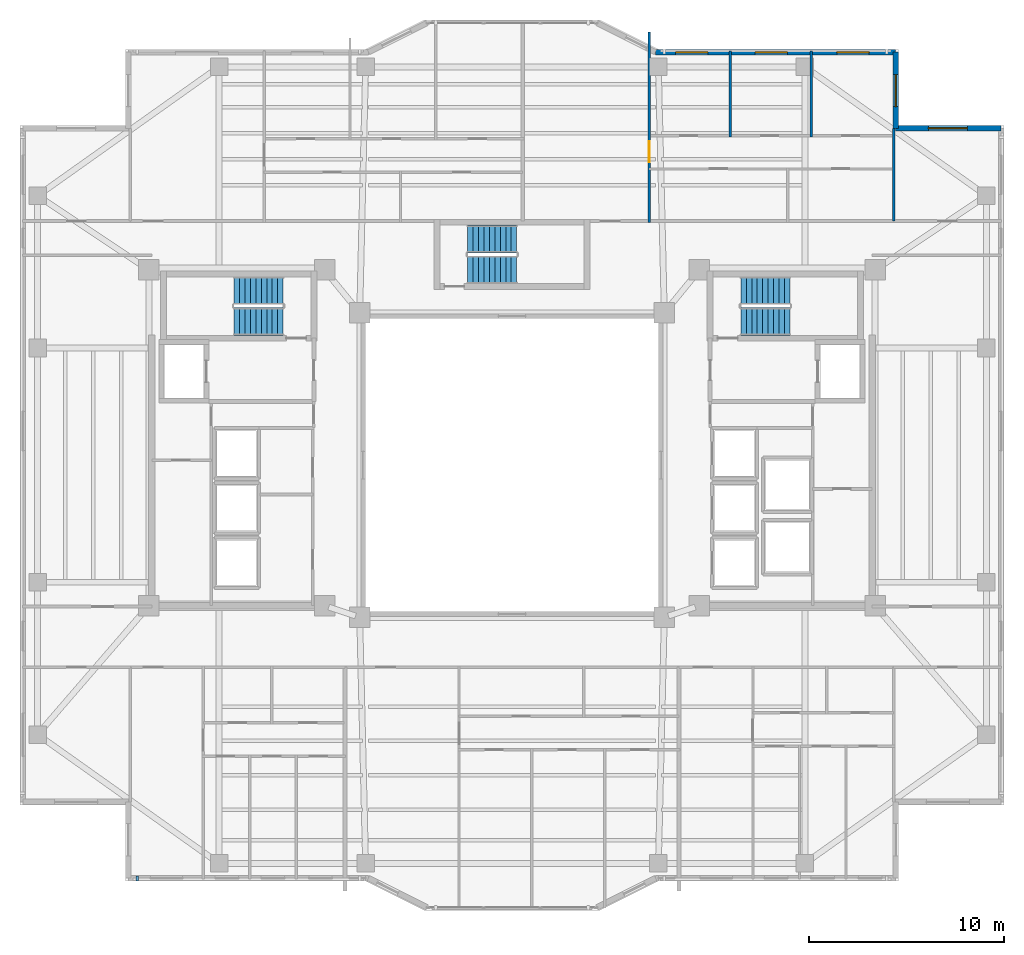
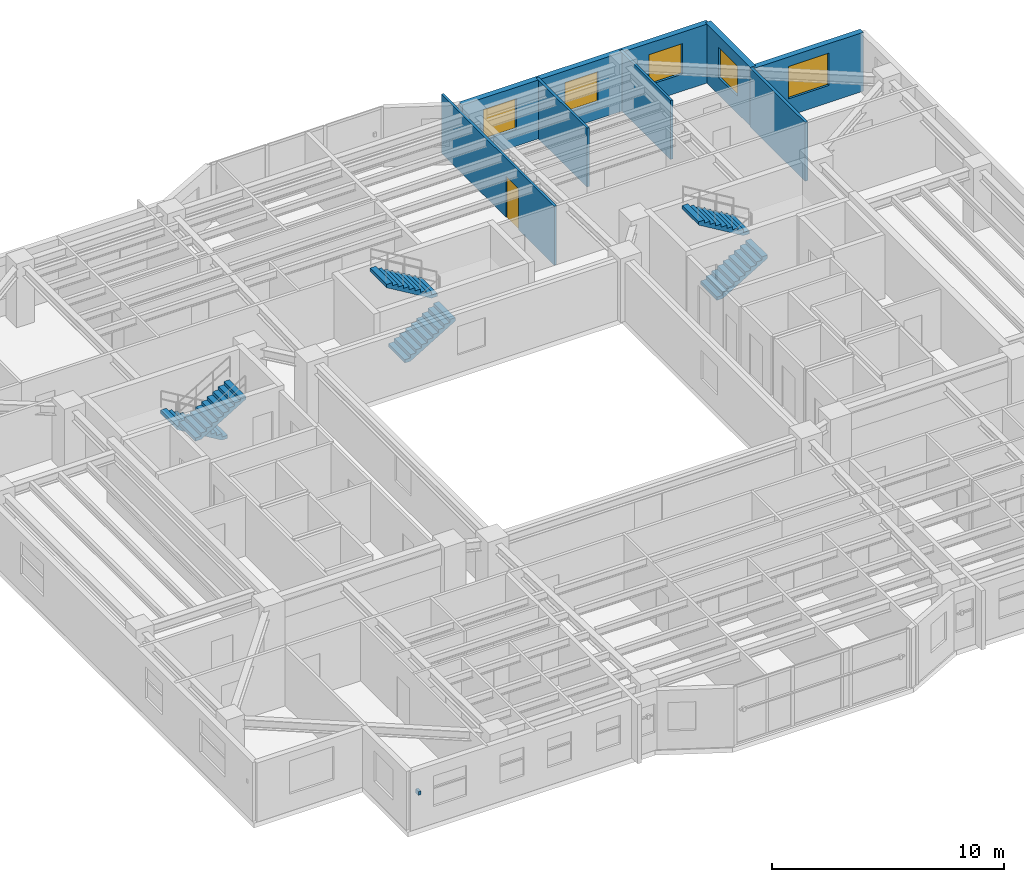
# One storey, part 11 of 16: 7 walls, 6 stair flights, 5 windows, 1 discrete accessory, 1 door, 6 openings, 3 elements without a shape of their own.
"""IFC4 building model written with IfcOpenShell, lengths in metres."""

from ifc_helpers import new_model, si_unit, direction, frame, frame_2d, origin, origin_2d, place, context, subcontext, project, spatial, polyline, rectangle, outline, extrude, material, layer, layer_set, type_object, element, fill, aggregate, save


model = new_model("IFC4")

# Units and contexts
model_context = context("Model", 3, precision=1e-05, world=origin(), true_north=direction((0.0, 1.0)))
body_context = subcontext(model_context, "Body", "Model", "MODEL_VIEW")
ifc_project = project(units=[si_unit("LENGTHUNIT", "METRE"), si_unit("AREAUNIT", "SQUARE_METRE"), si_unit("VOLUMEUNIT", "CUBIC_METRE"), si_unit("PLANEANGLEUNIT", "RADIAN"), si_unit("MASSUNIT", "GRAM", prefix="KILO")], contexts=[model_context])

# Site, building, storey
site_placement = place(None, origin())
site = spatial("IfcSite", under=ifc_project, at=site_placement, CompositionType="ELEMENT")
building_placement = place(site_placement, origin())
building = spatial("IfcBuilding", under=site, at=building_placement, Name="Tarnavaz Court Tower", CompositionType="ELEMENT")
storey_placement = place(building_placement, frame((0.0, 0.0, 146.0)))
storey = spatial("IfcBuildingStorey", under=building, at=storey_placement, Name="L39", CompositionType="ELEMENT", Elevation=146.0)

# Wall, openings, windows
ifc_material_1 = material(Name="Precast Concrete C40/50", Category="concrete")
ifc_layer_1 = layer(ifc_material_1, 0.280029296875)
ifc_layer_set_1 = layer_set([ifc_layer_1], Name="Precast Concrete C40/50")
wall_type_1 = type_object("IfcWallType", Name="WL-EXT-280", PredefinedType="SOLIDWALL", material=ifc_layer_set_1)
wall_1_placement = place(storey_placement, frame((7.35009765625, 21.14990234375, 0.0), z_axis=(0.0, 0.0, 1.0), x_axis=(1.0, 0.0, 0.0)))
wall_1 = element("IfcWall", 1, at=wall_1_placement, inside=storey, type_object=wall_type_1, Name="L39 Exterior Terracotta Facade Wall 09", PredefinedType="SOLIDWALL", context=body_context, shape_type="SweptSolid", body=[
    extrude(rectangle(XDim=12.2998046875, YDim=0.280029296875, at=frame_2d((6.14990234375, 0.0))), origin(), (0.0, 0.0, 1.0), 3.10009765625),
])
opening_1_placement = place(wall_1_placement, frame((1.03271484375, 0.0, 0.89990234375)))
opening_1 = element("IfcOpeningElement", 2, at=opening_1_placement, cuts=wall_1, Name="Opening W02", PredefinedType="OPENING", context=body_context, shape_type="SweptSolid", body=[
    extrude(rectangle(XDim=1.64990234375, YDim=1.60009765625, at=frame_2d((0.824951171875, 0.800048828125))), frame((0.0, 0.14990234375, 0.0), z_axis=(0.0, -1.0, 0.0), x_axis=(1.0, 0.0, 0.0)), (0.0, 0.0, 1.0), 0.300048828125),
])
opening_2_placement = place(wall_1_placement, frame((5.09912109375, 0.0, 0.89990234375)))
opening_2 = element("IfcOpeningElement", 3, at=opening_2_placement, cuts=wall_1, Name="Opening W02", PredefinedType="OPENING", context=body_context, shape_type="SweptSolid", body=[
    extrude(rectangle(XDim=1.64990234375, YDim=1.60009765625, at=frame_2d((0.824951171875, 0.800048828125))), frame((0.0, 0.14990234375, 0.0), z_axis=(0.0, -1.0, 0.0), x_axis=(1.0, 0.0, 0.0)), (0.0, 0.0, 1.0), 0.300048828125),
])
opening_3_placement = place(wall_1_placement, frame((9.291015625, 0.0, 0.89990234375)))
opening_3 = element("IfcOpeningElement", 4, at=opening_3_placement, cuts=wall_1, Name="Opening W02", PredefinedType="OPENING", context=body_context, shape_type="SweptSolid", body=[
    extrude(rectangle(XDim=1.64990234375, YDim=1.60009765625, at=frame_2d((0.824951171875, 0.800048828125))), frame((0.0, 0.14990234375, 0.0), z_axis=(0.0, -1.0, 0.0), x_axis=(1.0, 0.0, 0.0)), (0.0, 0.0, 1.0), 0.300048828125),
])
ifc_material_2 = material(Name="Double-Glazed Solar Low-E Glass", Category="glass")
window_type_1 = type_object("IfcWindowType", Name="WN-APT-1650", PartitioningType="DOUBLE_PANEL_VERTICAL", PredefinedType="WINDOW", material=ifc_material_2)
window_1_placement = place(opening_1_placement, origin())
window_1 = element("IfcWindow", 5, at=window_1_placement, inside=storey, type_object=window_type_1, Name="L39 Flat 02 Principal Bedroom Window", OverallHeight=1.60009765625, OverallWidth=1.64990234375, PartitioningType="SINGLE_PANEL", PredefinedType="WINDOW", context=body_context, shape_type="SweptSolid", body=[
    extrude(rectangle(XDim=1.64990234375, YDim=1.60009765625, at=frame_2d((0.824951171875, 0.800048828125))), frame((0.0, 0.030029296875, 0.0), z_axis=(0.0, -1.0, 0.0), x_axis=(1.0, 0.0, 0.0)), (0.0, 0.0, 1.0), 0.06005859375),
])
fill(opening_1, window_1)
window_2_placement = place(opening_2_placement, origin())
window_2 = element("IfcWindow", 6, at=window_2_placement, inside=storey, type_object=window_type_1, Name="L39 Flat 02 Bedroom 2 Window", OverallHeight=1.60009765625, OverallWidth=1.64990234375, PartitioningType="SINGLE_PANEL", PredefinedType="WINDOW", context=body_context, shape_type="SweptSolid", body=[
    extrude(rectangle(XDim=1.64990234375, YDim=1.60009765625, at=frame_2d((0.824951171875, 0.800048828125))), frame((0.0, 0.030029296875, 0.0), z_axis=(0.0, -1.0, 0.0), x_axis=(1.0, 0.0, 0.0)), (0.0, 0.0, 1.0), 0.06005859375),
])
fill(opening_2, window_2)
window_3_placement = place(opening_3_placement, origin())
window_3 = element("IfcWindow", 7, at=window_3_placement, inside=storey, type_object=window_type_1, Name="L39 Flat 02 Bedroom 3 Window", OverallHeight=1.60009765625, OverallWidth=1.64990234375, PartitioningType="SINGLE_PANEL", PredefinedType="WINDOW", context=body_context, shape_type="SweptSolid", body=[
    extrude(rectangle(XDim=1.64990234375, YDim=1.60009765625, at=frame_2d((0.824951171875, 0.800048828125))), frame((0.0, 0.030029296875, 0.0), z_axis=(0.0, -1.0, 0.0), x_axis=(1.0, 0.0, 0.0)), (0.0, 0.0, 1.0), 0.06005859375),
])
fill(opening_3, window_3)

# Wall, opening, window
wall_2_placement = place(storey_placement, frame((19.64990234375, 21.14990234375, 0.0), z_axis=(0.0, 0.0, 1.0), x_axis=(0.0, -1.0, 0.0)))
wall_2 = element("IfcWall", 8, at=wall_2_placement, inside=storey, type_object=wall_type_1, Name="L39 Exterior Terracotta Facade Wall 10", PredefinedType="SOLIDWALL", context=body_context, shape_type="SweptSolid", body=[
    extrude(rectangle(XDim=3.89990234375, YDim=0.280029296875, at=frame_2d((1.949951171875, 0.0))), origin(), (0.0, 0.0, 1.0), 3.10009765625),
])
opening_4_placement = place(wall_2_placement, frame((1.142822265625, 0.0, 0.89990234375)))
opening_4 = element("IfcOpeningElement", 9, at=opening_4_placement, cuts=wall_2, Name="Opening W02", PredefinedType="OPENING", context=body_context, shape_type="SweptSolid", body=[
    extrude(rectangle(XDim=1.64990234375, YDim=1.60009765625, at=frame_2d((0.824951171875, 0.800048828125))), frame((0.0, 0.14990234375, 0.0), z_axis=(0.0, -1.0, 0.0), x_axis=(1.0, 0.0, 0.0)), (0.0, 0.0, 1.0), 0.300048828125),
])
window_4_placement = place(opening_4_placement, origin())
window_4 = element("IfcWindow", 10, at=window_4_placement, inside=storey, type_object=window_type_1, Name="L39 Flat 02 Bedroom 3 Window", OverallHeight=1.60009765625, OverallWidth=1.64990234375, PartitioningType="SINGLE_PANEL", PredefinedType="WINDOW", context=body_context, shape_type="SweptSolid", body=[
    extrude(rectangle(XDim=1.64990234375, YDim=1.60009765625, at=frame_2d((0.824951171875, 0.800048828125))), frame((0.0, 0.030029296875, 0.0), z_axis=(0.0, -1.0, 0.0), x_axis=(1.0, 0.0, 0.0)), (0.0, 0.0, 1.0), 0.06005859375),
])
fill(opening_4, window_4)

wall_3_placement = place(storey_placement, frame((19.64990234375, 17.25, 0.0), z_axis=(0.0, 0.0, 1.0), x_axis=(1.0, 0.0, 0.0)))
wall_3 = element("IfcWall", 11, at=wall_3_placement, inside=storey, type_object=wall_type_1, Name="L39 Exterior Terracotta Facade Wall 11", PredefinedType="SOLIDWALL", context=body_context, shape_type="SweptSolid", body=[
    extrude(rectangle(XDim=5.400146484375, YDim=0.280029296875, at=frame_2d((2.7001953125, 0.0))), origin(), (0.0, 0.0, 1.0), 3.10009765625),
])
opening_5_placement = place(wall_3_placement, frame((1.675048828125, 0.0, 0.89990234375)))
opening_5 = element("IfcOpeningElement", 12, at=opening_5_placement, cuts=wall_3, Name="Opening W08", PredefinedType="OPENING", context=body_context, shape_type="SweptSolid", body=[
    extrude(rectangle(XDim=2.0, YDim=1.699951171875, at=frame_2d((1.0, 0.85009765625))), frame((0.0, 0.14990234375, 0.0), z_axis=(0.0, -1.0, 0.0), x_axis=(1.0, 0.0, 0.0)), (0.0, 0.0, 1.0), 0.300048828125),
])
window_type_2 = type_object("IfcWindowType", Name="WN-APT-2000", PartitioningType="DOUBLE_PANEL_VERTICAL", PredefinedType="WINDOW", material=ifc_material_2)
window_5_placement = place(opening_5_placement, origin())
window_5 = element("IfcWindow", 13, at=window_5_placement, inside=storey, type_object=window_type_2, Name="L39 North-East Corner Sunroom Study Window", OverallHeight=1.699951171875, OverallWidth=2.0, PartitioningType="SINGLE_PANEL", PredefinedType="WINDOW", context=body_context, shape_type="SweptSolid", body=[
    extrude(rectangle(XDim=2.0, YDim=1.699951171875, at=frame_2d((1.0, 0.85009765625))), frame((0.0, 0.030029296875, 0.0), z_axis=(0.0, -1.0, 0.0), x_axis=(1.0, 0.0, 0.0)), (0.0, 0.0, 1.0), 0.06005859375),
])
fill(opening_5, window_5)

# Wall, opening, door
ifc_material_3 = material(Name="Moisture-Resistant Gypsum Board Partition", Category="masonry")
ifc_layer_2 = layer(ifc_material_3, 0.1201171875)
ifc_layer_set_2 = layer_set([ifc_layer_2], Name="Moisture-Resistant Gypsum Board Partition")
wall_type_2 = type_object("IfcWallType", Name="WL-PART-120", PredefinedType="PARTITIONING", material=ifc_layer_set_2)
wall_4_placement = place(storey_placement, frame((7.029052734375, 12.43994140625, 0.0), z_axis=(0.0, 0.0, 1.0), x_axis=(0.0, 1.0, 0.0)))
wall_4 = element("IfcWall", 14, at=wall_4_placement, inside=storey, type_object=wall_type_2, Name="L39 Interior Partition 083", PredefinedType="PARTITIONING", context=body_context, shape_type="SweptSolid", body=[
    extrude(rectangle(XDim=9.739990234375, YDim=0.1201171875, at=frame_2d((4.8701171875, 0.0))), origin(), (0.0, 0.0, 1.0), 3.10009765625),
])
opening_6_placement = place(wall_4_placement, frame((3.074951171875, 0.0, 0.0)))
opening_6 = element("IfcOpeningElement", 15, at=opening_6_placement, cuts=wall_4, Name="Opening D12", PredefinedType="OPENING", context=body_context, shape_type="SweptSolid", body=[
    extrude(rectangle(XDim=1.080078125, YDim=2.14990234375, at=frame_2d((0.5400390625, 1.074951171875))), frame((0.0, 0.070068359375, 0.0), z_axis=(0.0, -1.0, 0.0), x_axis=(1.0, 0.0, 0.0)), (0.0, 0.0, 1.0), 0.14013671875),
])
ifc_material_4 = material(Name="Engineered Oak Timber", Category="wood")
door_type = type_object("IfcDoorType", Name="DR-INT-1100", OperationType="NOTDEFINED", PredefinedType="DOOR", material=ifc_material_4)
door_placement = place(opening_6_placement, origin())
door = element("IfcDoor", 16, at=door_placement, inside=storey, type_object=door_type, Name="L39 Flat 02 Foyer Door", OperationType="SINGLE_SWING_LEFT", OverallHeight=2.14990234375, OverallWidth=1.080078125, PredefinedType="DOOR", context=body_context, shape_type="SweptSolid", body=[
    extrude(rectangle(XDim=1.080078125, YDim=2.14990234375, at=frame_2d((0.5400390625, 1.074951171875))), frame((0.0, 0.02490234375, 0.0), z_axis=(0.0, -1.0, 0.0), x_axis=(1.0, 0.0, 0.0)), (0.0, 0.0, 1.0), 0.050048828125),
])
fill(opening_6, door)

# Walls
for number, where, z_axis, x_axis, name in (
    (17, (11.18310546875, 16.820068359375, 0.0), (0.0, 0.0, 1.0), (0.0, 1.0, 0.0), "L39 Interior Partition 088"),
    (18, (15.3359375, 16.820068359375, 0.0), (0.0, 0.0, 1.0), (0.0, 1.0, 0.0), "L39 Interior Partition 089"),
):
    element("IfcWall", number, at=place(storey_placement, frame(where, z_axis=z_axis, x_axis=x_axis)), inside=storey, type_object=wall_type_2, Name=name, PredefinedType="PARTITIONING", context=body_context, shape_type="SweptSolid", body=[
        extrude(rectangle(XDim=4.3798828125, YDim=0.1201171875, at=frame_2d((2.18994140625, 0.0))), origin(), (0.0, 0.0, 1.0), 3.10009765625),
    ])
ifc_material_5 = material(Name="Gypsum Plasterboard Acoustic Partition", Category="masonry")
ifc_layer_3 = layer(ifc_material_5, 0.139892578125)
ifc_layer_set_3 = layer_set([ifc_layer_3], Name="Gypsum Plasterboard Acoustic Partition")
wall_type_3 = type_object("IfcWallType", Name="WL-PART-150", PredefinedType="PARTITIONING", material=ifc_layer_set_3)
wall_5_placement = place(storey_placement, frame((19.550048828125, 12.5, 0.0), z_axis=(0.0, 0.0, 1.0), x_axis=(0.0, 1.0, 0.0)))
element("IfcWall", 19, at=wall_5_placement, inside=storey, type_object=wall_type_3, Name="L39 Interior Partition 121", PredefinedType="PARTITIONING", context=body_context, shape_type="SweptSolid", body=[
    extrude(rectangle(XDim=4.75, YDim=0.139892578125, at=frame_2d((2.375, 0.0))), origin(), (0.0, 0.0, 1.0), 3.10009765625),
])

# Stair, stair flights
ifc_material_6 = material(Name="Concrete C40/50", Category="concrete")
stair_type = type_object("IfcStairType", Name="ST-TWR-20R", PredefinedType="HALF_TURN_STAIR", material=ifc_material_6)
stair_1_placement = place(storey_placement, origin())
stair_1 = element("IfcStair", 20, at=stair_1_placement, inside=storey, type_object=stair_type, Name="L39 West Core Pressurized Exit Stair ST-W1", PredefinedType="HALF_TURN_STAIR")
stair_flight_type = type_object("IfcStairFlightType", Name="SFL-RC-20R", PredefinedType="STRAIGHT", material=ifc_material_6)
stair_flight_1_placement = place(storey_placement, frame((-11.719970703125, 8.929931640625, 0.0), z_axis=(0.0, 0.0, 1.0), x_axis=(-1.0, 0.0, 0.0)))
stair_flight_1 = element("IfcStairFlight", 21, at=stair_flight_1_placement, type_object=stair_flight_type, Name="ST-W1 flight 1", NumberOfRisers=10, NumberOfTreads=9, PredefinedType="STRAIGHT", RiserHeight=0.1675, TreadLength=0.28, context=body_context, shape_type="SweptSolid", body=[
    extrude(outline(polyline([(0.0, 0.0), (0.0, 0.16748046875), (0.280029296875, 0.16748046875), (0.280029296875, 0.3349609375), (0.56005859375, 0.3349609375), (0.56005859375, 0.50244140625), (0.840087890625, 0.50244140625), (0.840087890625, 0.669921875), (1.1201171875, 0.669921875), (1.1201171875, 0.83740234375), (1.39990234375, 0.83740234375), (1.39990234375, 1.0048828125), (1.679931640625, 1.0048828125), (1.679931640625, 1.172607421875), (1.9599609375, 1.172607421875), (1.9599609375, 1.340087890625), (2.239990234375, 1.340087890625), (2.239990234375, 1.507568359375), (2.52001953125, 1.507568359375), (2.52001953125, 1.675048828125), (2.52001953125, 1.332763671875), (0.2919921875, 0.0), (0.0, 0.0)])), frame((0.0, 0.7099609375, 0.0), z_axis=(0.0, -1.0, 0.0), x_axis=(1.0, 0.0, 0.0)), (0.0, 0.0, 1.0), 1.419921875),
])
stair_flight_2_placement = place(storey_placement, frame((-14.239990234375, 7.360107421875, 1.675048828125), z_axis=(0.0, 0.0, 1.0), x_axis=(1.0, 0.0, 0.0)))
stair_flight_2 = element("IfcStairFlight", 22, at=stair_flight_2_placement, type_object=stair_flight_type, Name="ST-W1 flight 2", NumberOfRisers=10, NumberOfTreads=9, PredefinedType="STRAIGHT", RiserHeight=0.1675, TreadLength=0.28, context=body_context, shape_type="SweptSolid", body=[
    extrude(outline(polyline([(0.0, 0.0), (0.0, 0.16748046875), (0.280029296875, 0.16748046875), (0.280029296875, 0.3349609375), (0.56005859375, 0.3349609375), (0.56005859375, 0.50244140625), (0.840087890625, 0.50244140625), (0.840087890625, 0.669921875), (1.1201171875, 0.669921875), (1.1201171875, 0.83740234375), (1.39990234375, 0.83740234375), (1.39990234375, 1.0048828125), (1.679931640625, 1.0048828125), (1.679931640625, 1.172607421875), (1.9599609375, 1.172607421875), (1.9599609375, 1.340087890625), (2.239990234375, 1.340087890625), (2.239990234375, 1.507568359375), (2.52001953125, 1.507568359375), (2.52001953125, 1.675048828125), (2.52001953125, 1.332763671875), (0.2919921875, 0.0), (0.0, 0.0)])), frame((0.0, 0.7099609375, 0.0), z_axis=(0.0, -1.0, 0.0), x_axis=(1.0, 0.0, 0.0)), (0.0, 0.0, 1.0), 1.419921875),
])
aggregate(stair_1, [stair_flight_1, stair_flight_2])

stair_2_placement = place(storey_placement, origin())
stair_2 = element("IfcStair", 23, at=stair_2_placement, inside=storey, type_object=stair_type, Name="L39 East Core Pressurized Exit Stair ST-E1", PredefinedType="HALF_TURN_STAIR")
stair_flight_3_placement = place(storey_placement, frame((11.719970703125, 7.360107421875, 0.0), z_axis=(0.0, 0.0, 1.0), x_axis=(1.0, 0.0, 0.0)))
stair_flight_3 = element("IfcStairFlight", 24, at=stair_flight_3_placement, type_object=stair_flight_type, Name="ST-E1 flight 1", NumberOfRisers=10, NumberOfTreads=9, PredefinedType="STRAIGHT", RiserHeight=0.1675, TreadLength=0.28, context=body_context, shape_type="SweptSolid", body=[
    extrude(outline(polyline([(0.0, 0.0), (0.0, 0.16748046875), (0.280029296875, 0.16748046875), (0.280029296875, 0.3349609375), (0.56005859375, 0.3349609375), (0.56005859375, 0.50244140625), (0.840087890625, 0.50244140625), (0.840087890625, 0.669921875), (1.1201171875, 0.669921875), (1.1201171875, 0.83740234375), (1.39990234375, 0.83740234375), (1.39990234375, 1.0048828125), (1.679931640625, 1.0048828125), (1.679931640625, 1.172607421875), (1.9599609375, 1.172607421875), (1.9599609375, 1.340087890625), (2.239990234375, 1.340087890625), (2.239990234375, 1.507568359375), (2.52001953125, 1.507568359375), (2.52001953125, 1.675048828125), (2.52001953125, 1.332763671875), (0.2919921875, 0.0), (0.0, 0.0)])), frame((0.0, 0.7099609375, 0.0), z_axis=(0.0, -1.0, 0.0), x_axis=(1.0, 0.0, 0.0)), (0.0, 0.0, 1.0), 1.419921875),
])
stair_flight_4_placement = place(storey_placement, frame((14.239990234375, 8.929931640625, 1.675048828125), z_axis=(0.0, 0.0, 1.0), x_axis=(-1.0, 0.0, 0.0)))
stair_flight_4 = element("IfcStairFlight", 25, at=stair_flight_4_placement, type_object=stair_flight_type, Name="ST-E1 flight 2", NumberOfRisers=10, NumberOfTreads=9, PredefinedType="STRAIGHT", RiserHeight=0.1675, TreadLength=0.28, context=body_context, shape_type="SweptSolid", body=[
    extrude(outline(polyline([(0.0, 0.0), (0.0, 0.16748046875), (0.280029296875, 0.16748046875), (0.280029296875, 0.3349609375), (0.56005859375, 0.3349609375), (0.56005859375, 0.50244140625), (0.840087890625, 0.50244140625), (0.840087890625, 0.669921875), (1.1201171875, 0.669921875), (1.1201171875, 0.83740234375), (1.39990234375, 0.83740234375), (1.39990234375, 1.0048828125), (1.679931640625, 1.0048828125), (1.679931640625, 1.172607421875), (1.9599609375, 1.172607421875), (1.9599609375, 1.340087890625), (2.239990234375, 1.340087890625), (2.239990234375, 1.507568359375), (2.52001953125, 1.507568359375), (2.52001953125, 1.675048828125), (2.52001953125, 1.332763671875), (0.2919921875, 0.0), (0.0, 0.0)])), frame((0.0, 0.7099609375, 0.0), z_axis=(0.0, -1.0, 0.0), x_axis=(1.0, 0.0, 0.0)), (0.0, 0.0, 1.0), 1.419921875),
])
aggregate(stair_2, [stair_flight_3, stair_flight_4])

stair_3_placement = place(storey_placement, origin())
stair_3 = element("IfcStair", 26, at=stair_3_placement, inside=storey, type_object=stair_type, Name="L39 North Ring Pressurized Exit Stair ST-N1", PredefinedType="HALF_TURN_STAIR")
stair_flight_5_placement = place(storey_placement, frame((-2.280029296875, 10.010009765625, 0.0), z_axis=(0.0, 0.0, 1.0), x_axis=(1.0, 0.0, 0.0)))
stair_flight_5 = element("IfcStairFlight", 27, at=stair_flight_5_placement, type_object=stair_flight_type, Name="ST-N1 flight 1", NumberOfRisers=10, NumberOfTreads=9, PredefinedType="STRAIGHT", RiserHeight=0.1675, TreadLength=0.28, context=body_context, shape_type="SweptSolid", body=[
    extrude(outline(polyline([(0.0, 0.0), (0.0, 0.16748046875), (0.280029296875, 0.16748046875), (0.280029296875, 0.3349609375), (0.56005859375, 0.3349609375), (0.56005859375, 0.50244140625), (0.840087890625, 0.50244140625), (0.840087890625, 0.669921875), (1.1201171875, 0.669921875), (1.1201171875, 0.83740234375), (1.39990234375, 0.83740234375), (1.39990234375, 1.0048828125), (1.679931640625, 1.0048828125), (1.679931640625, 1.172607421875), (1.9599609375, 1.172607421875), (1.9599609375, 1.340087890625), (2.239990234375, 1.340087890625), (2.239990234375, 1.507568359375), (2.52001953125, 1.507568359375), (2.52001953125, 1.675048828125), (2.52001953125, 1.332763671875), (0.2919921875, 0.0), (0.0, 0.0)])), frame((0.0, 0.7099609375, 0.0), z_axis=(0.0, -1.0, 0.0), x_axis=(1.0, 0.0, 0.0)), (0.0, 0.0, 1.0), 1.419921875),
])
stair_flight_6_placement = place(storey_placement, frame((0.239990234375, 11.580078125, 1.675048828125), z_axis=(0.0, 0.0, 1.0), x_axis=(-1.0, 0.0, 0.0)))
stair_flight_6 = element("IfcStairFlight", 28, at=stair_flight_6_placement, type_object=stair_flight_type, Name="ST-N1 flight 2", NumberOfRisers=10, NumberOfTreads=9, PredefinedType="STRAIGHT", RiserHeight=0.1675, TreadLength=0.28, context=body_context, shape_type="SweptSolid", body=[
    extrude(outline(polyline([(0.0, 0.0), (0.0, 0.16748046875), (0.280029296875, 0.16748046875), (0.280029296875, 0.3349609375), (0.56005859375, 0.3349609375), (0.56005859375, 0.50244140625), (0.840087890625, 0.50244140625), (0.840087890625, 0.669921875), (1.1201171875, 0.669921875), (1.1201171875, 0.83740234375), (1.39990234375, 0.83740234375), (1.39990234375, 1.0048828125), (1.679931640625, 1.0048828125), (1.679931640625, 1.172607421875), (1.9599609375, 1.172607421875), (1.9599609375, 1.340087890625), (2.239990234375, 1.340087890625), (2.239990234375, 1.507568359375), (2.52001953125, 1.507568359375), (2.52001953125, 1.675048828125), (2.52001953125, 1.332763671875), (0.2919921875, 0.0), (0.0, 0.0)])), frame((0.0, 0.7099609375, 0.0), z_axis=(0.0, -1.0, 0.0), x_axis=(1.0, 0.0, 0.0)), (0.0, 0.0, 1.0), 1.419921875),
])
aggregate(stair_3, [stair_flight_5, stair_flight_6])

# Discrete accessory
ifc_material_7 = material(Name="Anodised Aluminium 6063-T6", Category="aluminium")
discrete_accessory_type = type_object("IfcDiscreteAccessoryType", Name="DA-BRKT-ALU", PredefinedType="BRACKET", material=ifc_material_7)
discrete_accessory_placement = place(storey_placement, frame((-19.199951171875, -21.169921875, 1.75), z_axis=(0.0, 0.0, 1.0), x_axis=(-1.0, 0.0, 0.0)))
element("IfcDiscreteAccessory", 29, at=discrete_accessory_placement, inside=storey, type_object=discrete_accessory_type, Name="L39 Baguette Outrigger Bracket FBG19-2", PredefinedType="BRACKET", context=body_context, shape_type="SweptSolid", body=[
    extrude(rectangle(XDim=0.139892578125, YDim=0.239990234375, at=origin_2d()), origin(), (0.0, 0.0, 1.0), 0.199951171875),
])

save(model, "model.ifc")
